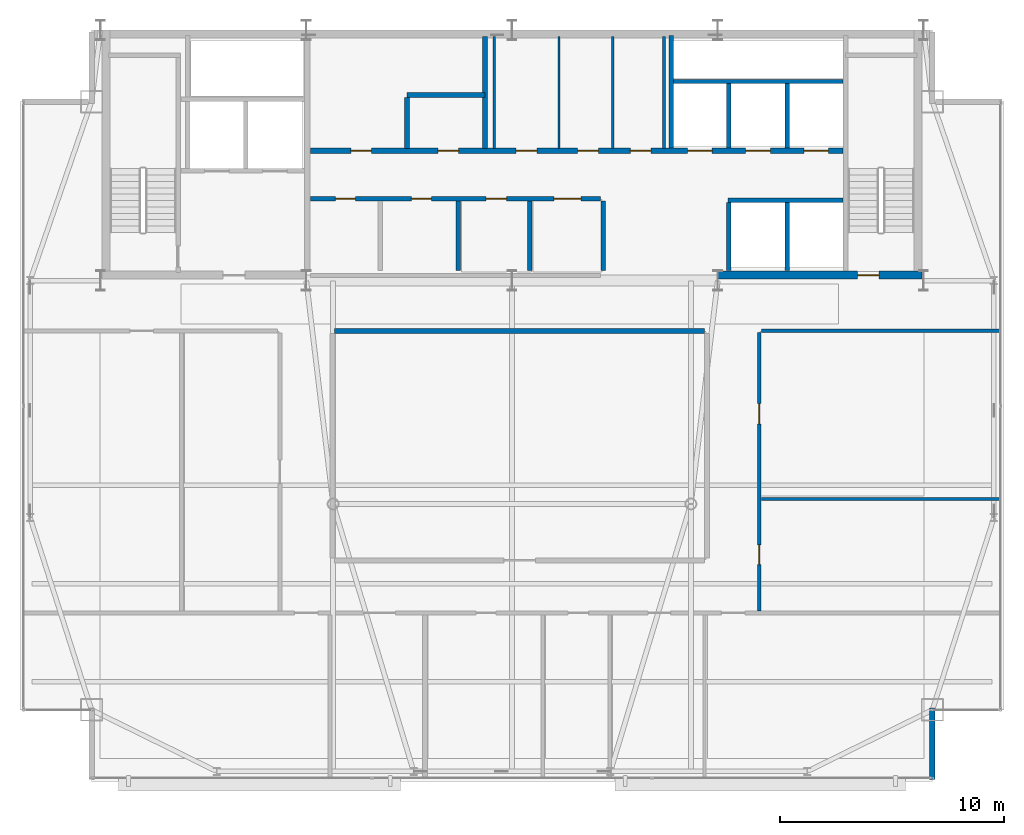
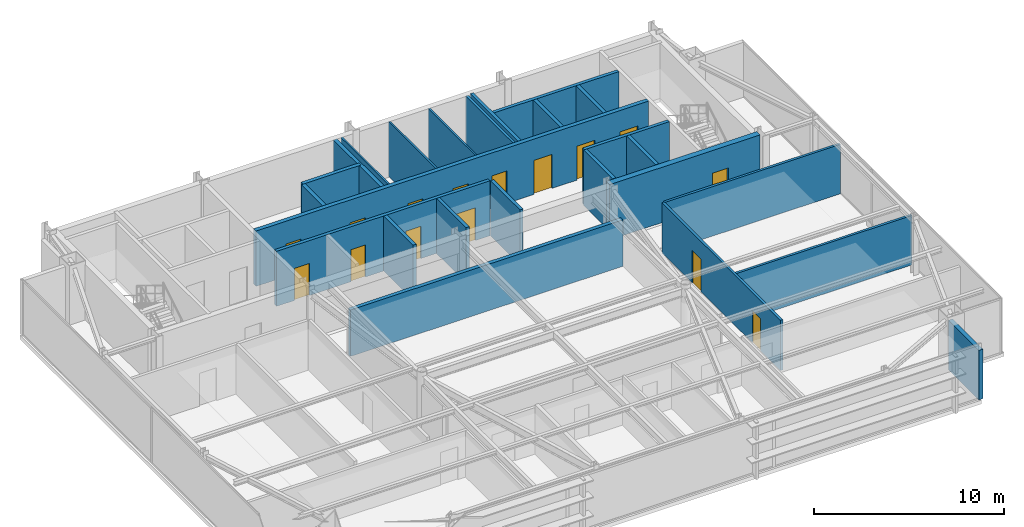
# One storey, part 22 of 24: 25 walls, 15 doors, 15 openings.
"""IFC4 building model written with IfcOpenShell, lengths in metres."""

from ifc_helpers import new_model, si_unit, direction, frame, frame_2d, origin, place, context, subcontext, project, spatial, rectangle, extrude, source, transform, mapped, material, layer, layer_set, type_object, type_shapes, element, fill, save


model = new_model("IFC4")

# Units and contexts
model_context = context("Model", 3, precision=1e-05, world=origin(), true_north=direction((0.0, 1.0)))
body_context = subcontext(model_context, "Body", "Model", "MODEL_VIEW")
ifc_project = project(units=[si_unit("LENGTHUNIT", "METRE"), si_unit("AREAUNIT", "SQUARE_METRE"), si_unit("VOLUMEUNIT", "CUBIC_METRE"), si_unit("PLANEANGLEUNIT", "RADIAN"), si_unit("MASSUNIT", "GRAM", prefix="KILO")], contexts=[model_context])

# Site, building, storey
site_placement = place(None, origin())
site = spatial("IfcSite", under=ifc_project, at=site_placement, CompositionType="ELEMENT")
building_placement = place(site_placement, origin())
building = spatial("IfcBuilding", under=site, at=building_placement, Name="Varnel Quay Broadcast Tower", CompositionType="ELEMENT")
storey_placement = place(building_placement, frame((0.0, 0.0, 292.60009765625)))
storey = spatial("IfcBuildingStorey", under=building, at=storey_placement, Name="L73", CompositionType="ELEMENT", Elevation=292.60009765625)

# Walls
ifc_material_1 = material(Name="Concrete CSA A23.3 C50/60", Category="concrete")
ifc_layer_1 = layer(ifc_material_1, 0.199951171875, Name="Concrete CSA A23.3 C50/60")
ifc_layer_set_1 = layer_set([ifc_layer_1], Name="Concrete CSA A23.3 C50/60")
wall_type_1 = type_object("IfcWallType", Name="Wall_CoreShaftShear200", PredefinedType="SHEAR", material=ifc_layer_set_1)
wall_1_placement = place(storey_placement, frame((41.219970703125, 44.5, 0.0), z_axis=(0.0, 0.0, 1.0), x_axis=(1.0, 0.0, 0.0)))
element("IfcWall", 1, at=wall_1_placement, inside=storey, type_object=wall_type_1, Name="L73 High-Rise Lift Shaft Rear Wall", PredefinedType="SHEAR", context=body_context, shape_type="SweptSolid", body=[
    extrude(rectangle(XDim=7.580078125, YDim=0.199951171875, at=frame_2d((3.7900390625, 0.0))), origin(), (0.0, 0.0, 1.0), 3.5498046875),
])
wall_2_placement = place(storey_placement, frame((41.1201171875, 41.530029296875, 0.0), z_axis=(0.0, 0.0, 1.0), x_axis=(0.0, 1.0, 0.0)))
element("IfcWall", 2, at=wall_2_placement, inside=storey, type_object=wall_type_1, Name="L73 High-Rise Lift Shaft Divider 1", PredefinedType="SHEAR", context=body_context, shape_type="SweptSolid", body=[
    extrude(rectangle(XDim=5.02001953125, YDim=0.199951171875, at=frame_2d((2.510009765625, 0.0))), origin(), (0.0, 0.0, 1.0), 3.5498046875),
])
for number, where, z_axis, x_axis, name in (
    (3, (43.699951171875, 41.530029296875, 0.0), (0.0, 0.0, 1.0), (0.0, 1.0, 0.0), "L73 High-Rise Lift Shaft Divider 2"),
    (4, (46.300048828125, 41.530029296875, 0.0), (0.0, 0.0, 1.0), (0.0, 1.0, 0.0), "L73 High-Rise Lift Shaft Divider 3"),
):
    element("IfcWall", number, at=place(storey_placement, frame(where, z_axis=z_axis, x_axis=x_axis)), inside=storey, type_object=wall_type_1, Name=name, PredefinedType="SHEAR", context=body_context, shape_type="SweptSolid", body=[
        extrude(rectangle(XDim=2.869873046875, YDim=0.199951171875, at=frame_2d((1.43505859375, 0.0))), origin(), (0.0, 0.0, 1.0), 3.5498046875),
    ])
for number, where, z_axis, x_axis, name in (
    (5, (43.699951171875, 36.050048828125, 0.0), (0.0, 0.0, 1.0), (0.0, 1.0, 0.0), "L73 Express Lift Shaft West Wall"),
    (6, (46.300048828125, 36.050048828125, 0.0), (0.0, 0.0, 1.0), (0.0, 1.0, 0.0), "L73 Express Lift Shaft Divider"),
):
    element("IfcWall", number, at=place(storey_placement, frame(where, z_axis=z_axis, x_axis=x_axis)), inside=storey, type_object=wall_type_1, Name=name, PredefinedType="SHEAR", context=body_context, shape_type="SweptSolid", body=[
        extrude(rectangle(XDim=3.050048828125, YDim=0.199951171875, at=frame_2d((1.52490234375, 0.0))), origin(), (0.0, 0.0, 1.0), 3.5498046875),
    ])
wall_3_placement = place(storey_placement, frame((43.64990234375, 39.199951171875, 0.0), z_axis=(0.0, 0.0, 1.0), x_axis=(1.0, 0.0, 0.0)))
element("IfcWall", 7, at=wall_3_placement, inside=storey, type_object=wall_type_1, Name="L73 Express Lift Shaft North Front Wall", PredefinedType="SHEAR", context=body_context, shape_type="SweptSolid", body=[
    extrude(rectangle(XDim=5.150146484375, YDim=0.199951171875, at=frame_2d((2.5751953125, 0.0))), origin(), (0.0, 0.0, 1.0), 3.5498046875),
])

# Wall, openings, doors
ifc_layer_2 = layer(ifc_material_1, 0.25, Name="Concrete CSA A23.3 C50/60")
ifc_layer_set_2 = layer_set([ifc_layer_2], Name="Concrete CSA A23.3 C50/60")
wall_type_2 = type_object("IfcWallType", Name="Wall_CoreShaftShear250", PredefinedType="SHEAR", material=ifc_layer_set_2)
wall_4_placement = place(storey_placement, frame((24.97998046875, 41.39990234375, 0.0), z_axis=(0.0, 0.0, 1.0), x_axis=(1.0, 0.0, 0.0)))
wall_4 = element("IfcWall", 8, at=wall_4_placement, inside=storey, type_object=wall_type_2, Name="L73 North Lift Bank & Reclaimed Suite Wall", PredefinedType="SHEAR", context=body_context, shape_type="SweptSolid", body=[
    extrude(rectangle(XDim=23.820068359375, YDim=0.25, at=frame_2d((11.91015625, 0.0))), origin(), (0.0, 0.0, 1.0), 3.5498046875),
])
opening_1_placement = place(wall_4_placement, frame((16.8701171875, 0.0, 0.0)))
opening_1 = element("IfcOpeningElement", 9, at=opening_1_placement, cuts=wall_4, Name="Opening LD-L73-PH-01", PredefinedType="OPENING", context=body_context, shape_type="SweptSolid", body=[
    extrude(rectangle(XDim=1.10009765625, YDim=2.179931640625, at=frame_2d((0.550048828125, 1.08984375))), frame((0.0, 0.135009765625, 0.0), z_axis=(0.0, -1.0, 0.0), x_axis=(1.0, 0.0, 0.0)), (0.0, 0.0, 1.0), 0.27001953125),
])
opening_2_placement = place(wall_4_placement, frame((19.469970703125, 0.0, 0.0)))
opening_2 = element("IfcOpeningElement", 10, at=opening_2_placement, cuts=wall_4, Name="Opening LD-L73-PH-02", PredefinedType="OPENING", context=body_context, shape_type="SweptSolid", body=[
    extrude(rectangle(XDim=1.10009765625, YDim=2.179931640625, at=frame_2d((0.550048828125, 1.08984375))), frame((0.0, 0.135009765625, 0.0), z_axis=(0.0, -1.0, 0.0), x_axis=(1.0, 0.0, 0.0)), (0.0, 0.0, 1.0), 0.27001953125),
])
opening_3_placement = place(wall_4_placement, frame((22.070068359375, 0.0, 0.0)))
opening_3 = element("IfcOpeningElement", 11, at=opening_3_placement, cuts=wall_4, Name="Opening LD-L73-PH-03", PredefinedType="OPENING", context=body_context, shape_type="SweptSolid", body=[
    extrude(rectangle(XDim=1.10009765625, YDim=2.179931640625, at=frame_2d((0.550048828125, 1.08984375))), frame((0.0, 0.135009765625, 0.0), z_axis=(0.0, -1.0, 0.0), x_axis=(1.0, 0.0, 0.0)), (0.0, 0.0, 1.0), 0.27001953125),
])
opening_4_placement = place(wall_4_placement, frame((1.81005859375, 0.0, 0.0)))
opening_4 = element("IfcOpeningElement", 12, at=opening_4_placement, cuts=wall_4, Name="Opening D-L73-RECA1", PredefinedType="OPENING", context=body_context, shape_type="SweptSolid", body=[
    extrude(rectangle(XDim=0.919921875, YDim=2.080078125, at=frame_2d((0.4599609375, 1.0400390625))), frame((0.0, 0.135009765625, 0.0), z_axis=(0.0, -1.0, 0.0), x_axis=(1.0, 0.0, 0.0)), (0.0, 0.0, 1.0), 0.27001953125),
])
opening_5_placement = place(wall_4_placement, frame((5.7099609375, 0.0, 0.0)))
opening_5 = element("IfcOpeningElement", 13, at=opening_5_placement, cuts=wall_4, Name="Opening D-L73-RECA2", PredefinedType="OPENING", context=body_context, shape_type="SweptSolid", body=[
    extrude(rectangle(XDim=0.919921875, YDim=2.080078125, at=frame_2d((0.4599609375, 1.0400390625))), frame((0.0, 0.135009765625, 0.0), z_axis=(0.0, -1.0, 0.0), x_axis=(1.0, 0.0, 0.0)), (0.0, 0.0, 1.0), 0.27001953125),
])
opening_6_placement = place(wall_4_placement, frame((9.2099609375, 0.0, 0.0)))
opening_6 = element("IfcOpeningElement", 14, at=opening_6_placement, cuts=wall_4, Name="Opening D-L73-RECB1", PredefinedType="OPENING", context=body_context, shape_type="SweptSolid", body=[
    extrude(rectangle(XDim=0.919921875, YDim=2.080078125, at=frame_2d((0.4599609375, 1.0400390625))), frame((0.0, 0.135009765625, 0.0), z_axis=(0.0, -1.0, 0.0), x_axis=(1.0, 0.0, 0.0)), (0.0, 0.0, 1.0), 0.27001953125),
])
opening_7_placement = place(wall_4_placement, frame((11.9599609375, 0.0, 0.0)))
opening_7 = element("IfcOpeningElement", 15, at=opening_7_placement, cuts=wall_4, Name="Opening D-L73-RECB2", PredefinedType="OPENING", context=body_context, shape_type="SweptSolid", body=[
    extrude(rectangle(XDim=0.919921875, YDim=2.080078125, at=frame_2d((0.4599609375, 1.0400390625))), frame((0.0, 0.135009765625, 0.0), z_axis=(0.0, -1.0, 0.0), x_axis=(1.0, 0.0, 0.0)), (0.0, 0.0, 1.0), 0.27001953125),
])
opening_8_placement = place(wall_4_placement, frame((14.31005859375, 0.0, 0.0)))
opening_8 = element("IfcOpeningElement", 16, at=opening_8_placement, cuts=wall_4, Name="Opening D-L73-RECB3", PredefinedType="OPENING", context=body_context, shape_type="SweptSolid", body=[
    extrude(rectangle(XDim=0.919921875, YDim=2.080078125, at=frame_2d((0.4599609375, 1.0400390625))), frame((0.0, 0.135009765625, 0.0), z_axis=(0.0, -1.0, 0.0), x_axis=(1.0, 0.0, 0.0)), (0.0, 0.0, 1.0), 0.27001953125),
])
ifc_material_2 = material(Name="Brushed Bronze-Stainless Lift Car & Sliding Doors", Category="steel")
door_type_1 = type_object("IfcDoorType", Name="Door_LiftLanding1100", OperationType="SLIDING_TO_LEFT", PredefinedType="DOOR", material=ifc_material_2)
shared_shape_1 = source(origin(), body_context, "Body", "SweptSolid", [
    extrude(rectangle(XDim=1.10009765625, YDim=2.179931640625, at=frame_2d((0.550048828125, 1.08984375))), frame((0.0, 0.02490234375, 0.0), z_axis=(0.0, -1.0, 0.0), x_axis=(1.0, 0.0, 0.0)), (0.0, 0.0, 1.0), 0.050048828125),
])
type_shapes(door_type_1, [shared_shape_1])
door_1_placement = place(opening_1_placement, frame((1.10009765625, 0.0, 0.0), z_axis=(0.0, 0.0, 1.0), x_axis=(-1.0, 0.0, 0.0)))
door_1 = element("IfcDoor", 17, at=door_1_placement, inside=storey, type_object=door_type_1, Name="L73 Lift PH-01 Landing Door", OperationType="SLIDING_TO_LEFT", OverallHeight=2.179931640625, OverallWidth=1.10009765625, PredefinedType="DOOR", context=body_context, shape_type="MappedRepresentation", body=[
    mapped(shared_shape_1, transform((0.0, 0.0, 0.0), x_axis=(1.0, 0.0, 0.0), y_axis=(0.0, 1.0, 0.0), z_axis=(0.0, 0.0, 1.0), scale=1.0)),
])
fill(opening_1, door_1)
door_2_placement = place(opening_2_placement, frame((1.10009765625, 0.0, 0.0), z_axis=(0.0, 0.0, 1.0), x_axis=(-1.0, 0.0, 0.0)))
door_2 = element("IfcDoor", 18, at=door_2_placement, inside=storey, type_object=door_type_1, Name="L73 Lift PH-02 Landing Door", OperationType="SLIDING_TO_LEFT", OverallHeight=2.179931640625, OverallWidth=1.10009765625, PredefinedType="DOOR", context=body_context, shape_type="MappedRepresentation", body=[
    mapped(shared_shape_1, transform((0.0, 0.0, 0.0), x_axis=(1.0, 0.0, 0.0), y_axis=(0.0, 1.0, 0.0), z_axis=(0.0, 0.0, 1.0), scale=1.0)),
])
fill(opening_2, door_2)
door_3_placement = place(opening_3_placement, frame((1.10009765625, 0.0, 0.0), z_axis=(0.0, 0.0, 1.0), x_axis=(-1.0, 0.0, 0.0)))
door_3 = element("IfcDoor", 19, at=door_3_placement, inside=storey, type_object=door_type_1, Name="L73 Lift PH-03 Landing Door", OperationType="SLIDING_TO_LEFT", OverallHeight=2.179931640625, OverallWidth=1.10009765625, PredefinedType="DOOR", context=body_context, shape_type="MappedRepresentation", body=[
    mapped(shared_shape_1, transform((0.0, 0.0, 0.0), x_axis=(1.0, 0.0, 0.0), y_axis=(0.0, 1.0, 0.0), z_axis=(0.0, 0.0, 1.0), scale=1.0)),
])
fill(opening_3, door_3)
ifc_material_3 = material(Name="Solid-Core Fire-Rated Acoustic Oak Veneer Door", Category="wood")
door_type_2 = type_object("IfcDoorType", Name="Door_Office920", OperationType="NOTDEFINED", PredefinedType="DOOR", material=ifc_material_3)
shared_shape_2 = source(origin(), body_context, "Body", "SweptSolid", [
    extrude(rectangle(XDim=0.919921875, YDim=2.080078125, at=frame_2d((0.4599609375, 1.0400390625))), frame((0.0, 0.02490234375, 0.0), z_axis=(0.0, -1.0, 0.0), x_axis=(1.0, 0.0, 0.0)), (0.0, 0.0, 1.0), 0.050048828125),
])
type_shapes(door_type_2, [shared_shape_2])
door_4_placement = place(opening_4_placement, origin())
door_4 = element("IfcDoor", 20, at=door_4_placement, inside=storey, type_object=door_type_2, Name="L73 Signal Routing Suite Door", OperationType="SINGLE_SWING_RIGHT", OverallHeight=2.080078125, OverallWidth=0.919921875, PredefinedType="DOOR", context=body_context, shape_type="MappedRepresentation", body=[
    mapped(shared_shape_2, transform((0.0, 0.0, 0.0), x_axis=(1.0, 0.0, 0.0), y_axis=(0.0, 1.0, 0.0), z_axis=(0.0, 0.0, 1.0), scale=1.0)),
])
fill(opening_4, door_4)
door_5_placement = place(opening_5_placement, origin())
door_5 = element("IfcDoor", 21, at=door_5_placement, inside=storey, type_object=door_type_2, Name="L73 Archive Media Store Door", OperationType="SINGLE_SWING_LEFT", OverallHeight=2.080078125, OverallWidth=0.919921875, PredefinedType="DOOR", context=body_context, shape_type="MappedRepresentation", body=[
    mapped(shared_shape_2, transform((0.0, 0.0, 0.0), x_axis=(1.0, 0.0, 0.0), y_axis=(0.0, 1.0, 0.0), z_axis=(0.0, 0.0, 1.0), scale=1.0)),
])
fill(opening_5, door_5)
door_6_placement = place(opening_6_placement, origin())
door_6 = element("IfcDoor", 22, at=door_6_placement, inside=storey, type_object=door_type_2, Name="L73 Audio Patch Closet Door", OperationType="SINGLE_SWING_RIGHT", OverallHeight=2.080078125, OverallWidth=0.919921875, PredefinedType="DOOR", context=body_context, shape_type="MappedRepresentation", body=[
    mapped(shared_shape_2, transform((0.0, 0.0, 0.0), x_axis=(1.0, 0.0, 0.0), y_axis=(0.0, 1.0, 0.0), z_axis=(0.0, 0.0, 1.0), scale=1.0)),
])
fill(opening_6, door_6)
door_7_placement = place(opening_7_placement, origin())
door_7 = element("IfcDoor", 23, at=door_7_placement, inside=storey, type_object=door_type_2, Name="L73 Bureau Reference Archive Door", OperationType="SINGLE_SWING_LEFT", OverallHeight=2.080078125, OverallWidth=0.919921875, PredefinedType="DOOR", context=body_context, shape_type="MappedRepresentation", body=[
    mapped(shared_shape_2, transform((0.0, 0.0, 0.0), x_axis=(1.0, 0.0, 0.0), y_axis=(0.0, 1.0, 0.0), z_axis=(0.0, 0.0, 1.0), scale=1.0)),
])
fill(opening_7, door_7)
door_8_placement = place(opening_8_placement, origin())
door_8 = element("IfcDoor", 24, at=door_8_placement, inside=storey, type_object=door_type_2, Name="L73 Crew Espresso Niche Door", OperationType="SINGLE_SWING_RIGHT", OverallHeight=2.080078125, OverallWidth=0.919921875, PredefinedType="DOOR", context=body_context, shape_type="MappedRepresentation", body=[
    mapped(shared_shape_2, transform((0.0, 0.0, 0.0), x_axis=(1.0, 0.0, 0.0), y_axis=(0.0, 1.0, 0.0), z_axis=(0.0, 0.0, 1.0), scale=1.0)),
])
fill(opening_8, door_8)

# Wall, opening, door
ifc_layer_3 = layer(ifc_material_1, 0.35009765625, Name="Concrete CSA A23.3 C50/60")
ifc_layer_set_3 = layer_set([ifc_layer_3], Name="Concrete CSA A23.3 C50/60")
wall_type_3 = type_object("IfcWallType", Name="Wall_CoreShearInt350", PredefinedType="SHEAR", material=ifc_layer_set_3)
wall_5_placement = place(storey_placement, frame((43.199951171875, 35.844970703125, 0.0), z_axis=(0.0, 0.0, 1.0), x_axis=(1.0, 0.0, 0.0)))
wall_5 = element("IfcWall", 25, at=wall_5_placement, inside=storey, type_object=wall_type_3, Name="L73 South-East Core Shear Wall", PredefinedType="SHEAR", context=body_context, shape_type="SweptSolid", body=[
    extrude(rectangle(XDim=9.130126953125, YDim=0.35009765625, at=frame_2d((4.56494140625, 0.0))), origin(), (0.0, 0.0, 1.0), 3.5498046875),
])
opening_9_placement = place(wall_5_placement, frame((6.25, 0.0, 0.0)))
opening_9 = element("IfcOpeningElement", 26, at=opening_9_placement, cuts=wall_5, Name="Opening D-L73-S2", PredefinedType="OPENING", context=body_context, shape_type="SweptSolid", body=[
    extrude(rectangle(XDim=0.949951171875, YDim=2.10009765625, at=frame_2d((0.47509765625, 1.050048828125))), frame((0.0, 0.18505859375, 0.0), z_axis=(0.0, -1.0, 0.0), x_axis=(1.0, 0.0, 0.0)), (0.0, 0.0, 1.0), 0.3701171875),
])
ifc_material_4 = material(Name="Insulated Fire-Rated Hollow Steel Door", Category="steel")
door_type_3 = type_object("IfcDoorType", Name="Door_FireStair950", OperationType="NOTDEFINED", PredefinedType="DOOR", material=ifc_material_4)
shared_shape_3 = source(origin(), body_context, "Body", "SweptSolid", [
    extrude(rectangle(XDim=0.949951171875, YDim=2.10009765625, at=frame_2d((0.47509765625, 1.050048828125))), frame((0.0, 0.02490234375, 0.0), z_axis=(0.0, -1.0, 0.0), x_axis=(1.0, 0.0, 0.0)), (0.0, 0.0, 1.0), 0.050048828125),
])
type_shapes(door_type_3, [shared_shape_3])
door_9_placement = place(opening_9_placement, origin())
door_9 = element("IfcDoor", 27, at=door_9_placement, inside=storey, type_object=door_type_3, Name="L73 Stair 2 Fire Door", OperationType="SINGLE_SWING_LEFT", OverallHeight=2.10009765625, OverallWidth=0.949951171875, PredefinedType="DOOR", context=body_context, shape_type="MappedRepresentation", body=[
    mapped(shared_shape_3, transform((0.0, 0.0, 0.0), x_axis=(1.0, 0.0, 0.0), y_axis=(0.0, 1.0, 0.0), z_axis=(0.0, 0.0, 1.0), scale=1.0)),
])
fill(opening_9, door_9)

# Wall
ifc_material_5 = material(Name="Precast Architectural Concrete C40/50", Category="concrete")
ifc_layer_4 = layer(ifc_material_5, 0.25, Name="Precast Architectural Concrete C40/50")
ifc_layer_set_4 = layer_set([ifc_layer_4], Name="Precast Architectural Concrete C40/50")
wall_type_4 = type_object("IfcWallType", Name="Wall_ExtTerrace250", PredefinedType="SOLIDWALL", material=ifc_layer_set_4)
wall_6_placement = place(storey_placement, frame((52.800048828125, 13.280029296875, 0.0), z_axis=(0.0, 0.0, 1.0), x_axis=(0.0, 1.0, 0.0)))
element("IfcWall", 28, at=wall_6_placement, inside=storey, type_object=wall_type_4, Name="L73 Mega-Column Notch Cladding Wall NSE2", PredefinedType="SOLIDWALL", context=body_context, shape_type="SweptSolid", body=[
    extrude(rectangle(XDim=3.199951171875, YDim=0.25, at=frame_2d((1.60009765625, 0.0))), origin(), (0.0, 0.0, 1.0), 3.1708984375),
])

# Wall, openings, doors
ifc_material_6 = material(Name="Concrete Blockwork Fire Enclosure C40/50", Category="masonry")
ifc_layer_5 = layer(ifc_material_6, 0.199951171875, Name="Concrete Blockwork Fire Enclosure C40/50")
ifc_layer_set_5 = layer_set([ifc_layer_5], Name="Concrete Blockwork Fire Enclosure C40/50")
wall_type_5 = type_object("IfcWallType", Name="Wall_FireShaft200", PredefinedType="SOLIDWALL", material=ifc_layer_set_5)
wall_7_placement = place(storey_placement, frame((25.0, 39.25, 0.0), z_axis=(0.0, 0.0, 1.0), x_axis=(1.0, 0.0, 0.0)))
wall_7 = element("IfcWall", 29, at=wall_7_placement, inside=storey, type_object=wall_type_5, Name="L73 Accessible Universal Washroom Partition 3", PredefinedType="SOLIDWALL", context=body_context, shape_type="SweptSolid", body=[
    extrude(rectangle(XDim=12.949951171875, YDim=0.199951171875, at=frame_2d((6.47509765625, 0.0))), origin(), (0.0, 0.0, 1.0), 3.52978515625),
])
opening_10_placement = place(wall_7_placement, frame((1.10009765625, 0.0, 0.0)))
opening_10 = element("IfcOpeningElement", 30, at=opening_10_placement, cuts=wall_7, Name="Opening D-L73-01", PredefinedType="OPENING", context=body_context, shape_type="SweptSolid", body=[
    extrude(rectangle(XDim=0.89990234375, YDim=2.06005859375, at=frame_2d((0.449951171875, 1.030029296875))), frame((0.0, 0.10986328125, 0.0), z_axis=(0.0, -1.0, 0.0), x_axis=(1.0, 0.0, 0.0)), (0.0, 0.0, 1.0), 0.219970703125),
])
opening_11_placement = place(wall_7_placement, frame((4.5, 0.0, 0.0)))
opening_11 = element("IfcOpeningElement", 31, at=opening_11_placement, cuts=wall_7, Name="Opening D-L73-02", PredefinedType="OPENING", context=body_context, shape_type="SweptSolid", body=[
    extrude(rectangle(XDim=0.89990234375, YDim=2.06005859375, at=frame_2d((0.449951171875, 1.030029296875))), frame((0.0, 0.10986328125, 0.0), z_axis=(0.0, -1.0, 0.0), x_axis=(1.0, 0.0, 0.0)), (0.0, 0.0, 1.0), 0.219970703125),
])
opening_12_placement = place(wall_7_placement, frame((7.840087890625, 0.0, 0.0)))
opening_12 = element("IfcOpeningElement", 32, at=opening_12_placement, cuts=wall_7, Name="Opening D-L73-03", PredefinedType="OPENING", context=body_context, shape_type="SweptSolid", body=[
    extrude(rectangle(XDim=0.919921875, YDim=2.080078125, at=frame_2d((0.4599609375, 1.0400390625))), frame((0.0, 0.10986328125, 0.0), z_axis=(0.0, -1.0, 0.0), x_axis=(1.0, 0.0, 0.0)), (0.0, 0.0, 1.0), 0.219970703125),
])
opening_13_placement = place(wall_7_placement, frame((10.875, 0.0, 0.0)))
opening_13 = element("IfcOpeningElement", 33, at=opening_13_placement, cuts=wall_7, Name="Opening D-L73-04", PredefinedType="OPENING", context=body_context, shape_type="SweptSolid", body=[
    extrude(rectangle(XDim=1.199951171875, YDim=2.10009765625, at=frame_2d((0.60009765625, 1.050048828125))), frame((0.0, 0.10986328125, 0.0), z_axis=(0.0, -1.0, 0.0), x_axis=(1.0, 0.0, 0.0)), (0.0, 0.0, 1.0), 0.219970703125),
])
door_type_4 = type_object("IfcDoorType", Name="Door_Washroom900", OperationType="NOTDEFINED", PredefinedType="DOOR", material=ifc_material_3)
shared_shape_4 = source(origin(), body_context, "Body", "SweptSolid", [
    extrude(rectangle(XDim=0.89990234375, YDim=2.06005859375, at=frame_2d((0.449951171875, 1.030029296875))), frame((0.0, 0.02490234375, 0.0), z_axis=(0.0, -1.0, 0.0), x_axis=(1.0, 0.0, 0.0)), (0.0, 0.0, 1.0), 0.050048828125),
])
type_shapes(door_type_4, [shared_shape_4])
door_10_placement = place(opening_10_placement, frame((0.89990234375, 0.0, 0.0), z_axis=(0.0, 0.0, 1.0), x_axis=(-1.0, 0.0, 0.0)))
door_10 = element("IfcDoor", 34, at=door_10_placement, inside=storey, type_object=door_type_4, Name="L73 Accessible Universal Washroom Door D-L73-01", OperationType="SINGLE_SWING_LEFT", OverallHeight=2.06005859375, OverallWidth=0.89990234375, PredefinedType="DOOR", context=body_context, shape_type="MappedRepresentation", body=[
    mapped(shared_shape_4, transform((0.0, 0.0, 0.0), x_axis=(1.0, 0.0, 0.0), y_axis=(0.0, 1.0, 0.0), z_axis=(0.0, 0.0, 1.0), scale=1.0)),
])
fill(opening_10, door_10)
door_11_placement = place(opening_11_placement, frame((0.89990234375, 0.0, 0.0), z_axis=(0.0, 0.0, 1.0), x_axis=(-1.0, 0.0, 0.0)))
door_11 = element("IfcDoor", 35, at=door_11_placement, inside=storey, type_object=door_type_4, Name="L73 Staff Washroom Block Door D-L73-02", OperationType="SINGLE_SWING_RIGHT", OverallHeight=2.06005859375, OverallWidth=0.89990234375, PredefinedType="DOOR", context=body_context, shape_type="MappedRepresentation", body=[
    mapped(shared_shape_4, transform((0.0, 0.0, 0.0), x_axis=(1.0, 0.0, 0.0), y_axis=(0.0, 1.0, 0.0), z_axis=(0.0, 0.0, 1.0), scale=1.0)),
])
fill(opening_11, door_11)
door_type_5 = type_object("IfcDoorType", Name="Door_Plant1200", OperationType="NOTDEFINED", PredefinedType="DOOR", material=ifc_material_4)
shared_shape_5 = source(origin(), body_context, "Body", "SweptSolid", [
    extrude(rectangle(XDim=1.199951171875, YDim=2.10009765625, at=frame_2d((0.60009765625, 1.050048828125))), frame((0.0, 0.02490234375, 0.0), z_axis=(0.0, -1.0, 0.0), x_axis=(1.0, 0.0, 0.0)), (0.0, 0.0, 1.0), 0.050048828125),
])
type_shapes(door_type_5, [shared_shape_5])
door_12_placement = place(opening_13_placement, origin())
door_12 = element("IfcDoor", 36, at=door_12_placement, inside=storey, type_object=door_type_5, Name="L73 Zone Lighting Dimmer Room Door D-L73-04", OperationType="SINGLE_SWING_RIGHT", OverallHeight=2.10009765625, OverallWidth=1.199951171875, PredefinedType="DOOR", context=body_context, shape_type="MappedRepresentation", body=[
    mapped(shared_shape_5, transform((0.0, 0.0, 0.0), x_axis=(1.0, 0.0, 0.0), y_axis=(0.0, 1.0, 0.0), z_axis=(0.0, 0.0, 1.0), scale=1.0)),
])
fill(opening_13, door_12)
door_13_placement = place(opening_12_placement, frame((0.919921875, 0.0, 0.0), z_axis=(0.0, 0.0, 1.0), x_axis=(-1.0, 0.0, 0.0)))
door_13 = element("IfcDoor", 37, at=door_13_placement, inside=storey, type_object=door_type_2, Name="L73 Broadcast First-Aid & Quiet Room Door D-L73-03", OperationType="SINGLE_SWING_LEFT", OverallHeight=2.080078125, OverallWidth=0.919921875, PredefinedType="DOOR", context=body_context, shape_type="MappedRepresentation", body=[
    mapped(shared_shape_2, transform((0.0, 0.0, 0.0), x_axis=(1.0, 0.0, 0.0), y_axis=(0.0, 1.0, 0.0), z_axis=(0.0, 0.0, 1.0), scale=1.0)),
])
fill(opening_12, door_13)

# Walls
for number, where, z_axis, x_axis, name in (
    (38, (34.800048828125, 36.050048828125, 0.0), (0.0, 0.0, 1.0), (0.0, 1.0, 0.0), "L73 Broadcast First-Aid & Quiet Room Partition 5"),
    (39, (38.074951171875, 36.050048828125, 0.0), (0.0, 0.0, 1.0), (0.0, 1.0, 0.0), "L73 Zone Lighting Dimmer Room Partition 6"),
):
    element("IfcWall", number, at=place(storey_placement, frame(where, z_axis=z_axis, x_axis=x_axis)), inside=storey, type_object=wall_type_5, Name=name, PredefinedType="SOLIDWALL", context=body_context, shape_type="SweptSolid", body=[
        extrude(rectangle(XDim=3.099853515625, YDim=0.199951171875, at=frame_2d((1.5498046875, 0.0))), origin(), (0.0, 0.0, 1.0), 3.52978515625),
    ])
ifc_material_7 = material(Name="Steel-Stud Fire-Rated Acoustic Gypsum Partition Assembly", Category="steel")
ifc_layer_6 = layer(ifc_material_7, 0.10498046875, Name="Steel-Stud Fire-Rated Acoustic Gypsum Partition Assembly")
ifc_layer_set_6 = layer_set([ifc_layer_6], Name="Steel-Stud Fire-Rated Acoustic Gypsum Partition Assembly")
wall_type_6 = type_object("IfcWallType", Name="Wall_Partition105", PredefinedType="PARTITIONING", material=ifc_layer_set_6)
for number, where, z_axis, x_axis, name in (
    (40, (36.10009765625, 41.5, 0.0), (0.0, 0.0, 1.0), (0.0, 1.0, 0.0), "L73 Audio Patch Closet Partition 26"),
    (41, (33.199951171875, 41.5, 0.0), (0.0, 0.0, 1.0), (0.0, 1.0, 0.0), "L73 Audio Patch Closet Partition 27"),
    (42, (38.5, 41.5, 0.0), (0.0, 0.0, 1.0), (0.0, 1.0, 0.0), "L73 Bureau Reference Archive Partition 28"),
):
    element("IfcWall", number, at=place(storey_placement, frame(where, z_axis=z_axis, x_axis=x_axis)), inside=storey, type_object=wall_type_6, Name=name, PredefinedType="PARTITIONING", context=body_context, shape_type="SweptSolid", body=[
        extrude(rectangle(XDim=5.02001953125, YDim=0.10498046875, at=frame_2d((2.510009765625, 0.0))), origin(), (0.0, 0.0, 1.0), 3.52978515625),
    ])
ifc_layer_7 = layer(ifc_material_7, 0.14990234375, Name="Steel-Stud Fire-Rated Acoustic Gypsum Partition Assembly")
ifc_layer_set_7 = layer_set([ifc_layer_7], Name="Steel-Stud Fire-Rated Acoustic Gypsum Partition Assembly")
wall_type_7 = type_object("IfcWallType", Name="Wall_Partition150", PredefinedType="PARTITIONING", material=ifc_layer_set_7)
wall_8_placement = place(storey_placement, frame((45.159912109375, 25.830078125, 0.0), z_axis=(0.0, 0.0, 1.0), x_axis=(1.0, 0.0, 0.0)))
element("IfcWall", 43, at=wall_8_placement, inside=storey, type_object=wall_type_7, Name="L73 Catering Kitchen 10 Partition 20", PredefinedType="PARTITIONING", context=body_context, shape_type="SweptSolid", body=[
    extrude(rectangle(XDim=10.66015625, YDim=0.14990234375, at=frame_2d((5.330078125, 0.0))), origin(), (0.0, 0.0, 1.0), 3.1708984375),
])

# Wall, openings, doors
wall_9_placement = place(storey_placement, frame((45.06005859375, 20.826904296875, 0.0), z_axis=(0.0, 0.0, 1.0), x_axis=(0.0, 1.0, 0.0)))
wall_9 = element("IfcWall", 44, at=wall_9_placement, inside=storey, type_object=wall_type_7, Name="L73 Catering Kitchen 10 Partition 21", PredefinedType="PARTITIONING", context=body_context, shape_type="SweptSolid", body=[
    extrude(rectangle(XDim=12.447998046875, YDim=0.14990234375, at=frame_2d((6.22412109375, 0.0))), origin(), (0.0, 0.0, 1.0), 3.221923828125),
])
opening_14_placement = place(wall_9_placement, frame((2.068115234375, 0.0, 0.0)))
opening_14 = element("IfcOpeningElement", 45, at=opening_14_placement, cuts=wall_9, Name="Opening D-L73-14", PredefinedType="OPENING", context=body_context, shape_type="SweptSolid", body=[
    extrude(rectangle(XDim=0.8798828125, YDim=2.06005859375, at=frame_2d((0.43994140625, 1.030029296875))), frame((0.0, 0.0849609375, 0.0), z_axis=(0.0, -1.0, 0.0), x_axis=(1.0, 0.0, 0.0)), (0.0, 0.0, 1.0), 0.169921875),
])
opening_15_placement = place(wall_9_placement, frame((8.35302734375, 0.0, 0.0)))
opening_15 = element("IfcOpeningElement", 46, at=opening_15_placement, cuts=wall_9, Name="Opening D-L73-15", PredefinedType="OPENING", context=body_context, shape_type="SweptSolid", body=[
    extrude(rectangle(XDim=0.919921875, YDim=2.080078125, at=frame_2d((0.4599609375, 1.0400390625))), frame((0.0, 0.0849609375, 0.0), z_axis=(0.0, -1.0, 0.0), x_axis=(1.0, 0.0, 0.0)), (0.0, 0.0, 1.0), 0.169921875),
])
door_type_6 = type_object("IfcDoorType", Name="Door_Booth880", OperationType="NOTDEFINED", PredefinedType="DOOR", material=ifc_material_3)
shared_shape_6 = source(origin(), body_context, "Body", "SweptSolid", [
    extrude(rectangle(XDim=0.8798828125, YDim=2.06005859375, at=frame_2d((0.43994140625, 1.030029296875))), frame((0.0, 0.02490234375, 0.0), z_axis=(0.0, -1.0, 0.0), x_axis=(1.0, 0.0, 0.0)), (0.0, 0.0, 1.0), 0.050048828125),
])
type_shapes(door_type_6, [shared_shape_6])
door_14_placement = place(opening_14_placement, frame((0.8798828125, 0.0, 0.0), z_axis=(0.0, 0.0, 1.0), x_axis=(-1.0, 0.0, 0.0)))
door_14 = element("IfcDoor", 47, at=door_14_placement, inside=storey, type_object=door_type_6, Name="L73 Catering Kitchen 10 Door D-L73-14", OperationType="SINGLE_SWING_RIGHT", OverallHeight=2.06005859375, OverallWidth=0.8798828125, PredefinedType="DOOR", context=body_context, shape_type="MappedRepresentation", body=[
    mapped(shared_shape_6, transform((0.0, 0.0, 0.0), x_axis=(1.0, 0.0, 0.0), y_axis=(0.0, 1.0, 0.0), z_axis=(0.0, 0.0, 1.0), scale=1.0)),
])
fill(opening_14, door_14)
door_15_placement = place(opening_15_placement, frame((0.919921875, 0.0, 0.0), z_axis=(0.0, 0.0, 1.0), x_axis=(-1.0, 0.0, 0.0)))
door_15 = element("IfcDoor", 48, at=door_15_placement, inside=storey, type_object=door_type_2, Name="L73 Bureau Office 11 Door D-L73-15", OperationType="SINGLE_SWING_LEFT", OverallHeight=2.080078125, OverallWidth=0.919921875, PredefinedType="DOOR", context=body_context, shape_type="MappedRepresentation", body=[
    mapped(shared_shape_2, transform((0.0, 0.0, 0.0), x_axis=(1.0, 0.0, 0.0), y_axis=(0.0, 1.0, 0.0), z_axis=(0.0, 0.0, 1.0), scale=1.0)),
])
fill(opening_15, door_15)

# Walls
wall_10_placement = place(storey_placement, frame((45.159912109375, 33.35009765625, 0.0), z_axis=(0.0, 0.0, 1.0), x_axis=(1.0, 0.0, 0.0)))
element("IfcWall", 49, at=wall_10_placement, inside=storey, type_object=wall_type_7, Name="L73 Bureau Office 11 Partition 22", PredefinedType="PARTITIONING", context=body_context, shape_type="SweptSolid", body=[
    extrude(rectangle(XDim=10.66015625, YDim=0.14990234375, at=frame_2d((5.330078125, 0.0))), origin(), (0.0, 0.0, 1.0), 3.1708984375),
])
wall_11_placement = place(storey_placement, frame((40.800048828125, 41.5, 0.0), z_axis=(0.0, 0.0, 1.0), x_axis=(0.0, 1.0, 0.0)))
element("IfcWall", 50, at=wall_11_placement, inside=storey, type_object=wall_type_7, Name="L73 Crew Espresso Niche Partition 29", PredefinedType="PARTITIONING", context=body_context, shape_type="SweptSolid", body=[
    extrude(rectangle(XDim=5.02001953125, YDim=0.14990234375, at=frame_2d((2.510009765625, 0.0))), origin(), (0.0, 0.0, 1.0), 3.52978515625),
])
ifc_layer_8 = layer(ifc_material_7, 0.22509765625, Name="Steel-Stud Fire-Rated Acoustic Gypsum Partition Assembly")
ifc_layer_set_8 = layer_set([ifc_layer_8], Name="Steel-Stud Fire-Rated Acoustic Gypsum Partition Assembly")
wall_type_8 = type_object("IfcWallType", Name="Wall_Partition225", PredefinedType="PARTITIONING", material=ifc_layer_set_8)
wall_12_placement = place(storey_placement, frame((26.070068359375, 33.35009765625, 0.0), z_axis=(0.0, 0.0, 1.0), x_axis=(1.0, 0.0, 0.0)))
element("IfcWall", 51, at=wall_12_placement, inside=storey, type_object=wall_type_8, Name="L73 Journalism Training Studio 9 Partition 18", PredefinedType="PARTITIONING", context=body_context, shape_type="SweptSolid", body=[
    extrude(rectangle(XDim=16.5400390625, YDim=0.22509765625, at=frame_2d((8.27001953125, 0.0))), origin(), (0.0, 0.0, 1.0), 2.98095703125),
])
wall_13_placement = place(storey_placement, frame((29.300048828125, 41.5, 0.0), z_axis=(0.0, 0.0, 1.0), x_axis=(0.0, 1.0, 0.0)))
element("IfcWall", 52, at=wall_13_placement, inside=storey, type_object=wall_type_8, Name="L73 Signal Routing Suite Partition 23", PredefinedType="PARTITIONING", context=body_context, shape_type="SweptSolid", body=[
    extrude(rectangle(XDim=2.2880859375, YDim=0.22509765625, at=frame_2d((1.14404296875, 0.0))), origin(), (0.0, 0.0, 1.0), 3.52978515625),
])
wall_14_placement = place(storey_placement, frame((29.300048828125, 43.89990234375, 0.0), z_axis=(0.0, 0.0, 1.0), x_axis=(1.0, 0.0, 0.0)))
element("IfcWall", 53, at=wall_14_placement, inside=storey, type_object=wall_type_8, Name="L73 Signal Routing Suite Partition 24", PredefinedType="PARTITIONING", context=body_context, shape_type="SweptSolid", body=[
    extrude(rectangle(XDim=3.5, YDim=0.22509765625, at=frame_2d((1.75, 0.0))), origin(), (0.0, 0.0, 1.0), 3.52978515625),
])
wall_15_placement = place(storey_placement, frame((32.800048828125, 41.5, 0.0), z_axis=(0.0, 0.0, 1.0), x_axis=(0.0, 1.0, 0.0)))
element("IfcWall", 54, at=wall_15_placement, inside=storey, type_object=wall_type_8, Name="L73 Signal Routing Suite Partition 25", PredefinedType="PARTITIONING", context=body_context, shape_type="SweptSolid", body=[
    extrude(rectangle(XDim=5.02001953125, YDim=0.22509765625, at=frame_2d((2.510009765625, 0.0))), origin(), (0.0, 0.0, 1.0), 3.52978515625),
])
ifc_material_8 = material(Name="Fire-Rated Moisture-Resistant Plumbing Chase Partition")
ifc_layer_9 = layer(ifc_material_8, 0.199951171875, Name="Fire-Rated Moisture-Resistant Plumbing Chase Partition")
ifc_layer_set_9 = layer_set([ifc_layer_9], Name="Fire-Rated Moisture-Resistant Plumbing Chase Partition")
wall_type_9 = type_object("IfcWallType", Name="Wall_Plumbing200", PredefinedType="PLUMBINGWALL", material=ifc_layer_set_9)
wall_16_placement = place(storey_placement, frame((31.60009765625, 36.050048828125, 0.0), z_axis=(0.0, 0.0, 1.0), x_axis=(0.0, 1.0, 0.0)))
element("IfcWall", 55, at=wall_16_placement, inside=storey, type_object=wall_type_9, Name="L73 Staff Washroom Block Partition 4", PredefinedType="PLUMBINGWALL", context=body_context, shape_type="SweptSolid", body=[
    extrude(rectangle(XDim=3.099853515625, YDim=0.199951171875, at=frame_2d((1.5498046875, 0.0))), origin(), (0.0, 0.0, 1.0), 3.52978515625),
])

save(model, "model.ifc")
